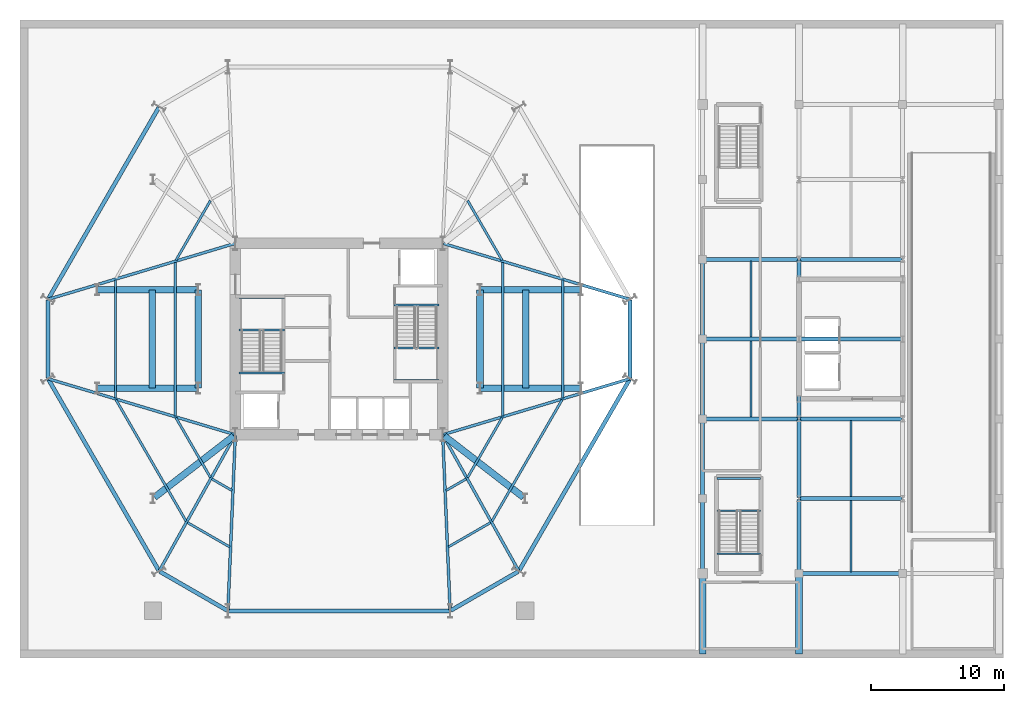
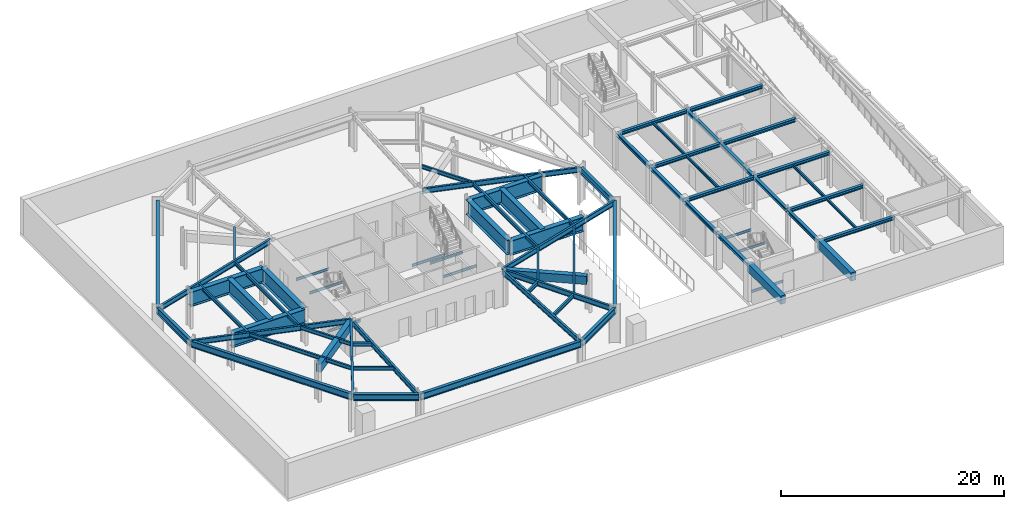
# One storey, part 5 of 12: 71 beams.
"""IFC4 building model written with IfcOpenShell, lengths in metres."""

from ifc_helpers import new_model, si_unit, direction, frame, origin, origin_2d, place, context, subcontext, project, spatial, rectangle, i_section, extrude, material, material_profile, profile_set, type_object, element, save


model = new_model("IFC4")

# Units and contexts
model_context = context("Model", 3, precision=1e-05, world=origin(), true_north=direction((0.0, 1.0)))
body_context = subcontext(model_context, "Body", "Model", "MODEL_VIEW")
ifc_project = project(units=[si_unit("LENGTHUNIT", "METRE"), si_unit("AREAUNIT", "SQUARE_METRE"), si_unit("VOLUMEUNIT", "CUBIC_METRE"), si_unit("PLANEANGLEUNIT", "RADIAN"), si_unit("MASSUNIT", "GRAM", prefix="KILO")], contexts=[model_context])

# Site, building, storey
site_placement = place(None, origin())
site = spatial("IfcSite", under=ifc_project, at=site_placement, CompositionType="ELEMENT")
building_placement = place(site_placement, origin())
building = spatial("IfcBuilding", under=site, at=building_placement, Name="Kranzbogen Civic Tower", CompositionType="ELEMENT")
storey_placement = place(building_placement, frame((0.0, 0.0, -4.199951171875)))
storey = spatial("IfcBuildingStorey", under=building, at=storey_placement, Name="B01", CompositionType="ELEMENT", Elevation=-4.199951171875)

# Beams
ifc_material_1 = material(Name="Concrete C40/50", Category="concrete")
ifc_material_profile_1 = material_profile(ifc_material_1, rectangle(XDim=0.5, YDim=0.89990234375, at=origin_2d()), Name="RC-BM 500x900")
ifc_profile_set_1 = profile_set([ifc_material_profile_1], Name="Concrete C40/50")
beam_type_1 = type_object("IfcBeamType", Name="Basement RC Frame Beam 500x900", PredefinedType="BEAM", material=ifc_profile_set_1)
for number, where, z_axis, x_axis, name in (
    (1, (52.35009765625, 1.300048828125, 3.599853515625), (0.0, 1.0, 0.0), (-1.0, 0.0, 0.0), "B01 South-East plaza support beam 52"),
    (2, (59.60009765625, 1.300048828125, 3.599853515625), (0.0, 1.0, 0.0), (-1.0, 0.0, 0.0), "B01 South-East plaza support beam 59"),
):
    element("IfcBeam", number, at=place(storey_placement, frame(where, z_axis=z_axis, x_axis=x_axis)), inside=storey, type_object=beam_type_1, Name=name, PredefinedType="BEAM", context=body_context, shape_type="SweptSolid", body=[
        extrude(rectangle(XDim=0.5, YDim=0.89990234375, at=origin_2d()), origin(), (0.0, 0.0, 1.0), 6.050048828125),
    ])
for number, where, z_axis, x_axis, name in (
    (3, (11.118896484375, 13.092041015625, 3.429931640625), (0.79071713495, 0.612181682589, 0.0), (-0.612181682589, 0.79071713495, 0.0), "B01 basement RC frame girder 1"),
    (4, (38.881103515625, 13.092041015625, 3.429931640625), (-0.79071713495, 0.612181682589, 0.0), (-0.612181682589, -0.79071713495, 0.0), "B01 basement RC frame girder 2"),
):
    element("IfcBeam", number, at=place(storey_placement, frame(where, z_axis=z_axis, x_axis=x_axis)), inside=storey, type_object=beam_type_1, Name=name, PredefinedType="BEAM", context=body_context, shape_type="SweptSolid", body=[
        extrude(rectangle(XDim=0.5, YDim=0.89990234375, at=origin_2d()), origin(), (0.0, 0.0, 1.0), 7.540283203125),
    ])
ifc_material_2 = material(Name="Steel S355", Category="steel")
ifc_material_profile_2 = material_profile(ifc_material_2, i_section(OverallWidth=0.300048828125, OverallDepth=0.360107421875, WebThickness=0.012451171875, FlangeThickness=0.0224609375, at=origin_2d()), Name="HEB 360")
ifc_profile_set_2 = profile_set([ifc_material_profile_2], Name="Steel S355")
beam_type_2 = type_object("IfcBeamType", Name="Health Centre Primary Floor Beam HEB 360", PredefinedType="BEAM", material=ifc_profile_set_2)
for number, where, z_axis, x_axis, name in (
    (5, (59.659912109375, 7.35009765625, 3.699951171875), (1.0, 0.0, 0.0), (0.0, 1.0, 0.0), "B01 Health Centre X girder 2-1"),
    (6, (59.659912109375, 13.0, 3.699951171875), (1.0, 0.0, 0.0), (0.0, 1.0, 0.0), "B01 Health Centre X girder 2-2"),
):
    element("IfcBeam", number, at=place(storey_placement, frame(where, z_axis=z_axis, x_axis=x_axis)), inside=storey, type_object=beam_type_2, Name=name, PredefinedType="BEAM", context=body_context, shape_type="SweptSolid", body=[
        extrude(i_section(OverallWidth=0.300048828125, OverallDepth=0.360107421875, WebThickness=0.012451171875, FlangeThickness=0.0224609375, at=origin_2d()), origin(), (0.0, 0.0, 1.0), 7.68017578125),
    ])
beam_1_placement = place(storey_placement, frame((52.409912109375, 19.0, 3.699951171875), z_axis=(1.0, 0.0, 0.0), x_axis=(0.0, 1.0, 0.0)))
element("IfcBeam", 7, at=beam_1_placement, inside=storey, type_object=beam_type_2, Name="B01 Health Centre X girder 1-3", PredefinedType="BEAM", context=body_context, shape_type="SweptSolid", body=[
    extrude(i_section(OverallWidth=0.300048828125, OverallDepth=0.360107421875, WebThickness=0.012451171875, FlangeThickness=0.0224609375, at=origin_2d()), origin(), (0.0, 0.0, 1.0), 7.130126953125),
])
beam_2_placement = place(storey_placement, frame((59.659912109375, 19.0, 3.699951171875), z_axis=(1.0, 0.0, 0.0), x_axis=(0.0, 1.0, 0.0)))
element("IfcBeam", 8, at=beam_2_placement, inside=storey, type_object=beam_type_2, Name="B01 Health Centre X girder 2-3", PredefinedType="BEAM", context=body_context, shape_type="SweptSolid", body=[
    extrude(i_section(OverallWidth=0.300048828125, OverallDepth=0.360107421875, WebThickness=0.012451171875, FlangeThickness=0.0224609375, at=origin_2d()), origin(), (0.0, 0.0, 1.0), 7.68017578125),
])
beam_3_placement = place(storey_placement, frame((52.409912109375, 25.0, 3.699951171875), z_axis=(1.0, 0.0, 0.0), x_axis=(0.0, 1.0, 0.0)))
element("IfcBeam", 9, at=beam_3_placement, inside=storey, type_object=beam_type_2, Name="B01 Health Centre X girder 1-4", PredefinedType="BEAM", context=body_context, shape_type="SweptSolid", body=[
    extrude(i_section(OverallWidth=0.300048828125, OverallDepth=0.360107421875, WebThickness=0.012451171875, FlangeThickness=0.0224609375, at=origin_2d()), origin(), (0.0, 0.0, 1.0), 7.130126953125),
])
beam_4_placement = place(storey_placement, frame((59.659912109375, 25.0, 3.699951171875), z_axis=(1.0, 0.0, 0.0), x_axis=(0.0, 1.0, 0.0)))
element("IfcBeam", 10, at=beam_4_placement, inside=storey, type_object=beam_type_2, Name="B01 Health Centre X girder 2-4", PredefinedType="BEAM", context=body_context, shape_type="SweptSolid", body=[
    extrude(i_section(OverallWidth=0.300048828125, OverallDepth=0.360107421875, WebThickness=0.012451171875, FlangeThickness=0.0224609375, at=origin_2d()), origin(), (0.0, 0.0, 1.0), 7.68017578125),
])
beam_5_placement = place(storey_placement, frame((52.409912109375, 31.0, 3.699951171875), z_axis=(1.0, 0.0, 0.0), x_axis=(0.0, 1.0, 0.0)))
element("IfcBeam", 11, at=beam_5_placement, inside=storey, type_object=beam_type_2, Name="B01 Health Centre X girder 1-5", PredefinedType="BEAM", context=body_context, shape_type="SweptSolid", body=[
    extrude(i_section(OverallWidth=0.300048828125, OverallDepth=0.360107421875, WebThickness=0.012451171875, FlangeThickness=0.0224609375, at=origin_2d()), origin(), (0.0, 0.0, 1.0), 7.130126953125),
])
beam_6_placement = place(storey_placement, frame((59.659912109375, 31.0, 3.699951171875), z_axis=(1.0, 0.0, 0.0), x_axis=(0.0, 1.0, 0.0)))
element("IfcBeam", 12, at=beam_6_placement, inside=storey, type_object=beam_type_2, Name="B01 Health Centre X girder 2-5", PredefinedType="BEAM", context=body_context, shape_type="SweptSolid", body=[
    extrude(i_section(OverallWidth=0.300048828125, OverallDepth=0.360107421875, WebThickness=0.012451171875, FlangeThickness=0.0224609375, at=origin_2d()), origin(), (0.0, 0.0, 1.0), 7.68017578125),
])
for number, where, z_axis, x_axis, name in (
    (13, (52.35009765625, 7.409912109375, 3.699951171875), (0.0, 1.0, 0.0), (-1.0, 0.0, 0.0), "B01 Health Centre Y girder 1-1"),
    (14, (59.60009765625, 7.409912109375, 3.699951171875), (0.0, 1.0, 0.0), (-1.0, 0.0, 0.0), "B01 Health Centre Y girder 2-1"),
):
    element("IfcBeam", number, at=place(storey_placement, frame(where, z_axis=z_axis, x_axis=x_axis)), inside=storey, type_object=beam_type_2, Name=name, PredefinedType="BEAM", context=body_context, shape_type="SweptSolid", body=[
        extrude(i_section(OverallWidth=0.300048828125, OverallDepth=0.360107421875, WebThickness=0.012451171875, FlangeThickness=0.0224609375, at=origin_2d()), origin(), (0.0, 0.0, 1.0), 5.530029296875),
    ])
for number, where, z_axis, x_axis, name in (
    (15, (52.35009765625, 13.06005859375, 3.699951171875), (0.0, 1.0, 0.0), (-1.0, 0.0, 0.0), "B01 Health Centre Y girder 1-2"),
    (16, (59.60009765625, 13.06005859375, 3.699951171875), (0.0, 1.0, 0.0), (-1.0, 0.0, 0.0), "B01 Health Centre Y girder 2-2"),
    (17, (52.35009765625, 19.06005859375, 3.699951171875), (0.0, 1.0, 0.0), (-1.0, 0.0, 0.0), "B01 Health Centre Y girder 1-3"),
    (18, (59.60009765625, 19.06005859375, 3.699951171875), (0.0, 1.0, 0.0), (-1.0, 0.0, 0.0), "B01 Health Centre Y girder 2-3"),
    (19, (52.35009765625, 25.06005859375, 3.699951171875), (0.0, 1.0, 0.0), (-1.0, 0.0, 0.0), "B01 Health Centre Y girder 1-4"),
    (20, (59.60009765625, 25.06005859375, 3.699951171875), (0.0, 1.0, 0.0), (-1.0, 0.0, 0.0), "B01 Health Centre Y girder 2-4"),
):
    element("IfcBeam", number, at=place(storey_placement, frame(where, z_axis=z_axis, x_axis=x_axis)), inside=storey, type_object=beam_type_2, Name=name, PredefinedType="BEAM", context=body_context, shape_type="SweptSolid", body=[
        extrude(i_section(OverallWidth=0.300048828125, OverallDepth=0.360107421875, WebThickness=0.012451171875, FlangeThickness=0.0224609375, at=origin_2d()), origin(), (0.0, 0.0, 1.0), 5.8798828125),
    ])
ifc_material_profile_3 = material_profile(ifc_material_2, i_section(OverallWidth=0.14990234375, OverallDepth=0.300048828125, WebThickness=0.007080078125, FlangeThickness=0.0107421875, at=origin_2d()), Name="IPE 300")
ifc_profile_set_3 = profile_set([ifc_material_profile_3], Name="Steel S355")
beam_type_3 = type_object("IfcBeamType", Name="Health Centre Secondary Joist IPE 300", PredefinedType="JOIST", material=ifc_profile_set_3)
beam_7_placement = place(storey_placement, frame((63.5, 7.489990234375, 3.72998046875), z_axis=(0.0, 1.0, 0.0), x_axis=(-1.0, 0.0, 0.0)))
element("IfcBeam", 21, at=beam_7_placement, inside=storey, type_object=beam_type_3, Name="B01 Health Centre secondary joist 2-1", PredefinedType="JOIST", context=body_context, shape_type="SweptSolid", body=[
    extrude(i_section(OverallWidth=0.14990234375, OverallDepth=0.300048828125, WebThickness=0.007080078125, FlangeThickness=0.0107421875, at=origin_2d()), origin(), (0.0, 0.0, 1.0), 5.3701171875),
])
for number, where, z_axis, x_axis, name in (
    (22, (63.5, 13.139892578125, 3.72998046875), (0.0, 1.0, 0.0), (-1.0, 0.0, 0.0), "B01 Health Centre secondary joist 2-2"),
    (23, (55.97509765625, 19.139892578125, 3.72998046875), (0.0, 1.0, 0.0), (-1.0, 0.0, 0.0), "B01 Health Centre secondary joist 1-3"),
    (24, (55.97509765625, 25.139892578125, 3.72998046875), (0.0, 1.0, 0.0), (-1.0, 0.0, 0.0), "B01 Health Centre secondary joist 1-4"),
):
    element("IfcBeam", number, at=place(storey_placement, frame(where, z_axis=z_axis, x_axis=x_axis)), inside=storey, type_object=beam_type_3, Name=name, PredefinedType="JOIST", context=body_context, shape_type="SweptSolid", body=[
        extrude(i_section(OverallWidth=0.14990234375, OverallDepth=0.300048828125, WebThickness=0.007080078125, FlangeThickness=0.0107421875, at=origin_2d()), origin(), (0.0, 0.0, 1.0), 5.72021484375),
    ])
ifc_material_profile_4 = material_profile(ifc_material_2, i_section(OverallWidth=0.300048828125, OverallDepth=0.699951171875, WebThickness=0.01708984375, FlangeThickness=0.031982421875, at=origin_2d()), Name="HEB 700")
ifc_profile_set_4 = profile_set([ifc_material_profile_4], Name="Steel S355")
beam_type_4 = type_object("IfcBeamType", Name="Perimeter Tube Spandrel Beam HEB 700", PredefinedType="SPANDREL", material=ifc_profile_set_4)
beam_8_placement = place(storey_placement, frame((3.139892578125, 21.9619140625, 3.530029296875), z_axis=(0.500010210561, -0.866019508634, 0.0), x_axis=(0.866019508634, 0.500010210561, 0.0)))
element("IfcBeam", 25, at=beam_8_placement, inside=storey, type_object=beam_type_4, Name="B01 perimeter spandrel beam 01", PredefinedType="SPANDREL", context=body_context, shape_type="SweptSolid", body=[
    extrude(i_section(OverallWidth=0.300048828125, OverallDepth=0.699951171875, WebThickness=0.01708984375, FlangeThickness=0.031982421875, at=origin_2d()), origin(), (0.0, 0.0, 1.0), 16.597900390625),
])
beam_9_placement = place(storey_placement, frame((11.52099609375, 7.506103515625, 3.530029296875), z_axis=(0.86602927387, -0.499993296755, 0.0), x_axis=(0.499993296755, 0.86602927387, 0.0)))
element("IfcBeam", 26, at=beam_9_placement, inside=storey, type_object=beam_type_4, Name="B01 perimeter spandrel beam 02", PredefinedType="SPANDREL", context=body_context, shape_type="SweptSolid", body=[
    extrude(i_section(OverallWidth=0.300048828125, OverallDepth=0.699951171875, WebThickness=0.01708984375, FlangeThickness=0.031982421875, at=origin_2d()), origin(), (0.0, 0.0, 1.0), 5.85205078125),
])
beam_10_placement = place(storey_placement, frame((16.700927734375, 4.550048828125, 3.530029296875), z_axis=(1.0, 0.0, 0.0), x_axis=(0.0, 1.0, 0.0)))
element("IfcBeam", 27, at=beam_10_placement, inside=storey, type_object=beam_type_4, Name="B01 perimeter spandrel beam 03", PredefinedType="SPANDREL", context=body_context, shape_type="SweptSolid", body=[
    extrude(i_section(OverallWidth=0.300048828125, OverallDepth=0.699951171875, WebThickness=0.01708984375, FlangeThickness=0.031982421875, at=origin_2d()), origin(), (0.0, 0.0, 1.0), 16.59814453125),
])
beam_11_placement = place(storey_placement, frame((33.410888671875, 4.580078125, 3.530029296875), z_axis=(0.86602927387, 0.499993296755, 0.0), x_axis=(-0.499993296755, 0.86602927387, 0.0)))
element("IfcBeam", 28, at=beam_11_placement, inside=storey, type_object=beam_type_4, Name="B01 perimeter spandrel beam 04", PredefinedType="SPANDREL", context=body_context, shape_type="SweptSolid", body=[
    extrude(i_section(OverallWidth=0.300048828125, OverallDepth=0.699951171875, WebThickness=0.01708984375, FlangeThickness=0.031982421875, at=origin_2d()), origin(), (0.0, 0.0, 1.0), 5.85205078125),
])
beam_12_placement = place(storey_placement, frame((38.56103515625, 7.587890625, 3.530029296875), z_axis=(0.500010210561, 0.866019508634, 0.0), x_axis=(-0.866019508634, 0.500010210561, 0.0)))
element("IfcBeam", 29, at=beam_12_placement, inside=storey, type_object=beam_type_4, Name="B01 perimeter spandrel beam 05", PredefinedType="SPANDREL", context=body_context, shape_type="SweptSolid", body=[
    extrude(i_section(OverallWidth=0.300048828125, OverallDepth=0.699951171875, WebThickness=0.01708984375, FlangeThickness=0.031982421875, at=origin_2d()), origin(), (0.0, 0.0, 1.0), 16.597900390625),
])
beam_13_placement = place(storey_placement, frame((46.889892578125, 22.073974609375, 3.530029296875), z_axis=(0.0, 1.0, 0.0), x_axis=(-1.0, 0.0, 0.0)))
element("IfcBeam", 30, at=beam_13_placement, inside=storey, type_object=beam_type_4, Name="B01 perimeter spandrel beam 06", PredefinedType="SPANDREL", context=body_context, shape_type="SweptSolid", body=[
    extrude(i_section(OverallWidth=0.300048828125, OverallDepth=0.699951171875, WebThickness=0.01708984375, FlangeThickness=0.031982421875, at=origin_2d()), origin(), (0.0, 0.0, 1.0), 5.85205078125),
])
beam_14_placement = place(storey_placement, frame((11.43896484375, 42.412109375, 3.530029296875), z_axis=(-0.500010210561, -0.866019508634, 0.0), x_axis=(0.866019508634, -0.500010210561, 0.0)))
element("IfcBeam", 31, at=beam_14_placement, inside=storey, type_object=beam_type_4, Name="B01 perimeter spandrel beam 11", PredefinedType="SPANDREL", context=body_context, shape_type="SweptSolid", body=[
    extrude(i_section(OverallWidth=0.300048828125, OverallDepth=0.699951171875, WebThickness=0.01708984375, FlangeThickness=0.031982421875, at=origin_2d()), origin(), (0.0, 0.0, 1.0), 16.597900390625),
])
beam_15_placement = place(storey_placement, frame((3.110107421875, 27.926025390625, 3.530029296875), z_axis=(0.0, -1.0, 0.0), x_axis=(1.0, 0.0, 0.0)))
element("IfcBeam", 32, at=beam_15_placement, inside=storey, type_object=beam_type_4, Name="B01 perimeter spandrel beam 12", PredefinedType="SPANDREL", context=body_context, shape_type="SweptSolid", body=[
    extrude(i_section(OverallWidth=0.300048828125, OverallDepth=0.699951171875, WebThickness=0.01708984375, FlangeThickness=0.031982421875, at=origin_2d()), origin(), (0.0, 0.0, 1.0), 5.85205078125),
])
ifc_material_profile_5 = material_profile(ifc_material_2, i_section(OverallWidth=0.2099609375, OverallDepth=0.550048828125, WebThickness=0.010986328125, FlangeThickness=0.01708984375, at=origin_2d()), Name="IPE 550")
ifc_profile_set_5 = profile_set([ifc_material_profile_5], Name="Steel S355")
beam_type_5 = type_object("IfcBeamType", Name="Radial Tower Floor Girder IPE 550", PredefinedType="BEAM", material=ifc_profile_set_5)
beam_16_placement = place(storey_placement, frame((3.1669921875, 21.9970703125, 3.60498046875), z_axis=(0.958064557048, -0.286552446385, 0.0), x_axis=(0.286552446385, 0.958064557048, 0.0)))
element("IfcBeam", 33, at=beam_16_placement, inside=storey, type_object=beam_type_5, Name="B01 radial floor girder 01", PredefinedType="BEAM", context=body_context, shape_type="SweptSolid", body=[
    extrude(i_section(OverallWidth=0.2099609375, OverallDepth=0.550048828125, WebThickness=0.010986328125, FlangeThickness=0.01708984375, at=origin_2d()), origin(), (0.0, 0.0, 1.0), 14.587890625),
])
beam_17_placement = place(storey_placement, frame((11.498046875, 7.587890625, 3.60498046875), z_axis=(0.487501570266, 0.87312211001, 0.0), x_axis=(-0.87312211001, 0.487501570266, 0.0)))
element("IfcBeam", 34, at=beam_17_placement, inside=storey, type_object=beam_type_5, Name="B01 radial floor girder 02", PredefinedType="BEAM", context=body_context, shape_type="SweptSolid", body=[
    extrude(i_section(OverallWidth=0.2099609375, OverallDepth=0.550048828125, WebThickness=0.010986328125, FlangeThickness=0.01708984375, at=origin_2d()), origin(), (0.0, 0.0, 1.0), 11.636474609375),
])
for number, where, z_axis, x_axis, name in (
    (35, (16.64404296875, 4.610107421875, 3.60498046875), (0.04207872602, 0.999114298174, 0.0), (-0.999114298174, 0.04207872602, 0.0), "B01 radial floor girder 03"),
    (36, (33.35595703125, 4.610107421875, 3.60498046875), (-0.04207872602, 0.999114298174, 0.0), (-0.999114298174, -0.04207872602, 0.0), "B01 radial floor girder 04"),
):
    element("IfcBeam", number, at=place(storey_placement, frame(where, z_axis=z_axis, x_axis=x_axis)), inside=storey, type_object=beam_type_5, Name=name, PredefinedType="BEAM", context=body_context, shape_type="SweptSolid", body=[
        extrude(i_section(OverallWidth=0.2099609375, OverallDepth=0.550048828125, WebThickness=0.010986328125, FlangeThickness=0.01708984375, at=origin_2d()), origin(), (0.0, 0.0, 1.0), 13.1416015625),
    ])
beam_18_placement = place(storey_placement, frame((38.501953125, 7.587890625, 3.60498046875), z_axis=(-0.487501570266, 0.87312211001, 0.0), x_axis=(-0.87312211001, -0.487501570266, 0.0)))
element("IfcBeam", 37, at=beam_18_placement, inside=storey, type_object=beam_type_5, Name="B01 radial floor girder 05", PredefinedType="BEAM", context=body_context, shape_type="SweptSolid", body=[
    extrude(i_section(OverallWidth=0.2099609375, OverallDepth=0.550048828125, WebThickness=0.010986328125, FlangeThickness=0.01708984375, at=origin_2d()), origin(), (0.0, 0.0, 1.0), 11.636474609375),
])
for number, where, z_axis, x_axis, name in (
    (38, (46.8330078125, 21.9970703125, 3.60498046875), (-0.958064557048, -0.286552446385, 0.0), (0.286552446385, -0.958064557048, 0.0), "B01 radial floor girder 06"),
    (39, (46.8330078125, 28.0029296875, 3.60498046875), (-0.958064557048, 0.286552446385, 0.0), (-0.286552446385, -0.958064557048, 0.0), "B01 radial floor girder 07"),
    (40, (3.1669921875, 28.0029296875, 3.60498046875), (0.958064557048, 0.286552446385, 0.0), (-0.286552446385, 0.958064557048, 0.0), "B01 radial floor girder 12"),
):
    element("IfcBeam", number, at=place(storey_placement, frame(where, z_axis=z_axis, x_axis=x_axis)), inside=storey, type_object=beam_type_5, Name=name, PredefinedType="BEAM", context=body_context, shape_type="SweptSolid", body=[
        extrude(i_section(OverallWidth=0.2099609375, OverallDepth=0.550048828125, WebThickness=0.010986328125, FlangeThickness=0.01708984375, at=origin_2d()), origin(), (0.0, 0.0, 1.0), 14.587890625),
    ])
ifc_material_profile_6 = material_profile(ifc_material_2, i_section(OverallWidth=0.179931640625, OverallDepth=0.39990234375, WebThickness=0.008544921875, FlangeThickness=0.013427734375, at=origin_2d()), Name="IPE 400")
ifc_profile_set_6 = profile_set([ifc_material_profile_6], Name="Steel S355")
beam_type_6 = type_object("IfcBeamType", Name="Secondary Composite Floor Joist IPE 400", PredefinedType="JOIST", material=ifc_profile_set_6)
beam_19_placement = place(storey_placement, frame((8.221923828125, 20.427978515625, 3.679931640625), z_axis=(0.500000488781, -0.866025121586, 0.0), x_axis=(0.866025121586, 0.500000488781, 0.0)))
element("IfcBeam", 41, at=beam_19_placement, inside=storey, type_object=beam_type_6, Name="B01 secondary floor joist 1.01", PredefinedType="JOIST", context=body_context, shape_type="SweptSolid", body=[
    extrude(i_section(OverallWidth=0.179931640625, OverallDepth=0.39990234375, WebThickness=0.008544921875, FlangeThickness=0.013427734375, at=origin_2d()), origin(), (0.0, 0.0, 1.0), 10.5400390625),
])
beam_20_placement = place(storey_placement, frame((12.73095703125, 19.0791015625, 3.679931640625), z_axis=(0.500040090343, -0.866002256377, 0.0), x_axis=(0.866002256377, 0.500040090343, 0.0)))
element("IfcBeam", 42, at=beam_20_placement, inside=storey, type_object=beam_type_6, Name="B01 secondary floor joist 2.01", PredefinedType="JOIST", context=body_context, shape_type="SweptSolid", body=[
    extrude(i_section(OverallWidth=0.179931640625, OverallDepth=0.39990234375, WebThickness=0.008544921875, FlangeThickness=0.013427734375, at=origin_2d()), origin(), (0.0, 0.0, 1.0), 5.189453125),
])
beam_21_placement = place(storey_placement, frame((13.60107421875, 11.19091796875, 3.679931640625), z_axis=(0.866081244924, -0.499903267833, 0.0), x_axis=(0.499903267833, 0.866081244924, 0.0)))
element("IfcBeam", 43, at=beam_21_placement, inside=storey, type_object=beam_type_6, Name="B01 secondary floor joist 1.02", PredefinedType="JOIST", context=body_context, shape_type="SweptSolid", body=[
    extrude(i_section(OverallWidth=0.179931640625, OverallDepth=0.39990234375, WebThickness=0.008544921875, FlangeThickness=0.013427734375, at=origin_2d()), origin(), (0.0, 0.0, 1.0), 3.662353515625),
])
beam_22_placement = place(storey_placement, frame((15.43505859375, 14.47607421875, 3.679931640625), z_axis=(0.86596970562, -0.500096459644, 0.0), x_axis=(0.500096459644, 0.86596970562, 0.0)))
element("IfcBeam", 44, at=beam_22_placement, inside=storey, type_object=beam_type_6, Name="B01 secondary floor joist 2.02", PredefinedType="JOIST", context=body_context, shape_type="SweptSolid", body=[
    extrude(i_section(OverallWidth=0.179931640625, OverallDepth=0.39990234375, WebThickness=0.008544921875, FlangeThickness=0.013427734375, at=origin_2d()), origin(), (0.0, 0.0, 1.0), 1.751708984375),
])
beam_23_placement = place(storey_placement, frame((33.22705078125, 9.360107421875, 3.679931640625), z_axis=(0.866081244924, 0.499903267833, 0.0), x_axis=(-0.499903267833, 0.866081244924, 0.0)))
element("IfcBeam", 45, at=beam_23_placement, inside=storey, type_object=beam_type_6, Name="B01 secondary floor joist 1.04", PredefinedType="JOIST", context=body_context, shape_type="SweptSolid", body=[
    extrude(i_section(OverallWidth=0.179931640625, OverallDepth=0.39990234375, WebThickness=0.008544921875, FlangeThickness=0.013427734375, at=origin_2d()), origin(), (0.0, 0.0, 1.0), 3.662353515625),
])
beam_24_placement = place(storey_placement, frame((33.048095703125, 13.60009765625, 3.679931640625), z_axis=(0.86596970562, 0.500096459644, 0.0), x_axis=(-0.500096459644, 0.86596970562, 0.0)))
element("IfcBeam", 46, at=beam_24_placement, inside=storey, type_object=beam_type_6, Name="B01 secondary floor joist 2.04", PredefinedType="JOIST", context=body_context, shape_type="SweptSolid", body=[
    extrude(i_section(OverallWidth=0.179931640625, OverallDepth=0.39990234375, WebThickness=0.008544921875, FlangeThickness=0.013427734375, at=origin_2d()), origin(), (0.0, 0.0, 1.0), 1.751708984375),
])
beam_25_placement = place(storey_placement, frame((36.508056640625, 11.300048828125, 3.679931640625), z_axis=(0.500000488781, 0.866025121586, 0.0), x_axis=(-0.866025121586, 0.500000488781, 0.0)))
element("IfcBeam", 47, at=beam_25_placement, inside=storey, type_object=beam_type_6, Name="B01 secondary floor joist 1.05", PredefinedType="JOIST", context=body_context, shape_type="SweptSolid", body=[
    extrude(i_section(OverallWidth=0.179931640625, OverallDepth=0.39990234375, WebThickness=0.008544921875, FlangeThickness=0.013427734375, at=origin_2d()), origin(), (0.0, 0.0, 1.0), 10.5400390625),
])
beam_26_placement = place(storey_placement, frame((34.674072265625, 14.5849609375, 3.679931640625), z_axis=(0.500040090343, 0.866002256377, 0.0), x_axis=(-0.866002256377, 0.500040090343, 0.0)))
element("IfcBeam", 48, at=beam_26_placement, inside=storey, type_object=beam_type_6, Name="B01 secondary floor joist 2.05", PredefinedType="JOIST", context=body_context, shape_type="SweptSolid", body=[
    extrude(i_section(OverallWidth=0.179931640625, OverallDepth=0.39990234375, WebThickness=0.008544921875, FlangeThickness=0.013427734375, at=origin_2d()), origin(), (0.0, 0.0, 1.0), 5.189453125),
])
beam_27_placement = place(storey_placement, frame((41.818115234375, 20.576904296875, 3.679931640625), z_axis=(0.0, 1.0, 0.0), x_axis=(-1.0, 0.0, 0.0)))
element("IfcBeam", 49, at=beam_27_placement, inside=storey, type_object=beam_type_6, Name="B01 secondary floor joist 1.06", PredefinedType="JOIST", context=body_context, shape_type="SweptSolid", body=[
    extrude(i_section(OverallWidth=0.179931640625, OverallDepth=0.39990234375, WebThickness=0.008544921875, FlangeThickness=0.013427734375, at=origin_2d()), origin(), (0.0, 0.0, 1.0), 8.84619140625),
])
beam_28_placement = place(storey_placement, frame((37.30908203125, 19.22802734375, 3.679931640625), z_axis=(0.0, 1.0, 0.0), x_axis=(-1.0, 0.0, 0.0)))
element("IfcBeam", 50, at=beam_28_placement, inside=storey, type_object=beam_type_6, Name="B01 secondary floor joist 2.06", PredefinedType="JOIST", context=body_context, shape_type="SweptSolid", body=[
    extrude(i_section(OverallWidth=0.179931640625, OverallDepth=0.39990234375, WebThickness=0.008544921875, FlangeThickness=0.013427734375, at=origin_2d()), origin(), (0.0, 0.0, 1.0), 11.5439453125),
])
for number, where, z_axis, x_axis, name in (
    (51, (37.26904296875, 30.9208984375, 3.679931640625), (-0.500040090343, 0.866002256377, 0.0), (-0.866002256377, -0.500040090343, 0.0), "B01 secondary floor joist 2.07"),
    (52, (15.325927734375, 35.4150390625, 3.679931640625), (-0.500040090343, -0.866002256377, 0.0), (0.866002256377, -0.500040090343, 0.0), "B01 secondary floor joist 2.11"),
):
    element("IfcBeam", number, at=place(storey_placement, frame(where, z_axis=z_axis, x_axis=x_axis)), inside=storey, type_object=beam_type_6, Name=name, PredefinedType="JOIST", context=body_context, shape_type="SweptSolid", body=[
        extrude(i_section(OverallWidth=0.179931640625, OverallDepth=0.39990234375, WebThickness=0.008544921875, FlangeThickness=0.013427734375, at=origin_2d()), origin(), (0.0, 0.0, 1.0), 5.189453125),
    ])
beam_29_placement = place(storey_placement, frame((8.181884765625, 29.423095703125, 3.679931640625), z_axis=(0.0, -1.0, 0.0), x_axis=(1.0, 0.0, 0.0)))
element("IfcBeam", 53, at=beam_29_placement, inside=storey, type_object=beam_type_6, Name="B01 secondary floor joist 1.12", PredefinedType="JOIST", context=body_context, shape_type="SweptSolid", body=[
    extrude(i_section(OverallWidth=0.179931640625, OverallDepth=0.39990234375, WebThickness=0.008544921875, FlangeThickness=0.013427734375, at=origin_2d()), origin(), (0.0, 0.0, 1.0), 8.84619140625),
])
beam_30_placement = place(storey_placement, frame((12.69091796875, 30.77197265625, 3.679931640625), z_axis=(0.0, -1.0, 0.0), x_axis=(1.0, 0.0, 0.0)))
element("IfcBeam", 54, at=beam_30_placement, inside=storey, type_object=beam_type_6, Name="B01 secondary floor joist 2.12", PredefinedType="JOIST", context=body_context, shape_type="SweptSolid", body=[
    extrude(i_section(OverallWidth=0.179931640625, OverallDepth=0.39990234375, WebThickness=0.008544921875, FlangeThickness=0.013427734375, at=origin_2d()), origin(), (0.0, 0.0, 1.0), 11.5439453125),
])
ifc_material_profile_7 = material_profile(ifc_material_2, i_section(OverallWidth=0.135009765625, OverallDepth=0.27001953125, WebThickness=0.006591796875, FlangeThickness=0.01025390625, at=origin_2d()), Name="IPE 270")
ifc_profile_set_7 = profile_set([ifc_material_profile_7], Name="Steel S355")
beam_type_7 = type_object("IfcBeamType", Name="Stair Landing Support Beam IPE 270", PredefinedType="JOIST", material=ifc_profile_set_7)
for number, where, z_axis, x_axis, name in (
    (55, (20.8798828125, 22.43994140625, -0.455078125), (-1.0, 0.0, 0.0), (0.0, -1.0, 0.0), "B01 ST-T1 stair floor header beam"),
    (56, (20.8798828125, 25.679931640625, 1.764892578125), (-1.0, 0.0, 0.0), (0.0, -1.0, 0.0), "B01 ST-T1 landing support beam 1.1"),
    (57, (20.8798828125, 28.10009765625, 1.764892578125), (-1.0, 0.0, 0.0), (0.0, -1.0, 0.0), "B01 ST-T1 landing support beam 1.2"),
    (58, (29.1201171875, 27.56005859375, -0.455078125), (1.0, 0.0, 0.0), (0.0, 1.0, 0.0), "B01 ST-T2 stair floor header beam"),
    (59, (29.1201171875, 24.320068359375, 1.764892578125), (1.0, 0.0, 0.0), (0.0, 1.0, 0.0), "B01 ST-T2 landing support beam 1.1"),
    (60, (29.1201171875, 21.89990234375, 1.764892578125), (1.0, 0.0, 0.0), (0.0, 1.0, 0.0), "B01 ST-T2 landing support beam 1.2"),
):
    element("IfcBeam", number, at=place(storey_placement, frame(where, z_axis=z_axis, x_axis=x_axis)), inside=storey, type_object=beam_type_7, Name=name, PredefinedType="JOIST", context=body_context, shape_type="SweptSolid", body=[
        extrude(i_section(OverallWidth=0.135009765625, OverallDepth=0.27001953125, WebThickness=0.006591796875, FlangeThickness=0.01025390625, at=origin_2d()), origin(), (0.0, 0.0, 1.0), 3.409912109375),
    ])
for number, where, z_axis, x_axis, name in (
    (61, (56.699951171875, 8.840087890625, -0.455078125), (-1.0, 0.0, 0.0), (0.0, -1.0, 0.0), "B01 ST-H1 stair floor header beam"),
    (62, (56.699951171875, 12.080078125, 1.764892578125), (-1.0, 0.0, 0.0), (0.0, -1.0, 0.0), "B01 ST-H1 landing support beam 1.1"),
    (63, (56.699951171875, 14.5, 1.764892578125), (-1.0, 0.0, 0.0), (0.0, -1.0, 0.0), "B01 ST-H1 landing support beam 1.2"),
):
    element("IfcBeam", number, at=place(storey_placement, frame(where, z_axis=z_axis, x_axis=x_axis)), inside=storey, type_object=beam_type_7, Name=name, PredefinedType="JOIST", context=body_context, shape_type="SweptSolid", body=[
        extrude(i_section(OverallWidth=0.135009765625, OverallDepth=0.27001953125, WebThickness=0.006591796875, FlangeThickness=0.01025390625, at=origin_2d()), origin(), (0.0, 0.0, 1.0), 3.25),
    ])
ifc_material_3 = material(Name="Steel S460", Category="steel")
ifc_material_profile_8 = material_profile(ifc_material_3, i_section(OverallWidth=0.5, OverallDepth=1.60009765625, WebThickness=0.02587890625, FlangeThickness=0.0400390625, at=origin_2d()), Name="WPG 1600x500x26x40")
ifc_profile_set_8 = profile_set([ifc_material_profile_8], Name="Steel S460")
beam_type_8 = type_object("IfcBeamType", Name="Welded Transfer Girder WPG 1600x500x26x40", PredefinedType="BEAM", material=ifc_profile_set_8)
for number, where, z_axis, x_axis, name in (
    (64, (6.800048828125, 21.300048828125, 3.079833984375), (1.0, 0.0, 0.0), (0.0, 1.0, 0.0), "TG-1600: B01 STP1 stair transfer girder 1"),
    (65, (6.800048828125, 28.699951171875, 3.079833984375), (1.0, 0.0, 0.0), (0.0, 1.0, 0.0), "TG-1600: B01 STP1 stair transfer girder 2"),
):
    element("IfcBeam", number, at=place(storey_placement, frame(where, z_axis=z_axis, x_axis=x_axis)), inside=storey, type_object=beam_type_8, Name=name, PredefinedType="BEAM", context=body_context, shape_type="SweptSolid", body=[
        extrude(i_section(OverallWidth=0.5, OverallDepth=1.60009765625, WebThickness=0.02587890625, FlangeThickness=0.0400390625, at=origin_2d()), origin(), (0.0, 0.0, 1.0), 7.599853515625),
    ])
for number, where, z_axis, x_axis, name in (
    (66, (10.949951171875, 21.300048828125, 3.079833984375), (0.0, 1.0, 0.0), (-1.0, 0.0, 0.0), "TG-1600: B01 STP1 West wall transfer girder"),
    (67, (14.39990234375, 21.300048828125, 3.079833984375), (0.0, 1.0, 0.0), (-1.0, 0.0, 0.0), "TG-1600: B01 STP1 East wall transfer girder"),
):
    element("IfcBeam", number, at=place(storey_placement, frame(where, z_axis=z_axis, x_axis=x_axis)), inside=storey, type_object=beam_type_8, Name=name, PredefinedType="BEAM", context=body_context, shape_type="SweptSolid", body=[
        extrude(i_section(OverallWidth=0.5, OverallDepth=1.60009765625, WebThickness=0.02587890625, FlangeThickness=0.0400390625, at=origin_2d()), origin(), (0.0, 0.0, 1.0), 7.39990234375),
    ])
for number, where, z_axis, x_axis, name in (
    (68, (35.60009765625, 21.300048828125, 3.079833984375), (1.0, 0.0, 0.0), (0.0, 1.0, 0.0), "TG-1600: B01 STP2 stair transfer girder 1"),
    (69, (35.60009765625, 28.699951171875, 3.079833984375), (1.0, 0.0, 0.0), (0.0, 1.0, 0.0), "TG-1600: B01 STP2 stair transfer girder 2"),
):
    element("IfcBeam", number, at=place(storey_placement, frame(where, z_axis=z_axis, x_axis=x_axis)), inside=storey, type_object=beam_type_8, Name=name, PredefinedType="BEAM", context=body_context, shape_type="SweptSolid", body=[
        extrude(i_section(OverallWidth=0.5, OverallDepth=1.60009765625, WebThickness=0.02587890625, FlangeThickness=0.0400390625, at=origin_2d()), origin(), (0.0, 0.0, 1.0), 7.599853515625),
    ])
for number, where, z_axis, x_axis, name in (
    (70, (35.60009765625, 21.300048828125, 3.079833984375), (0.0, 1.0, 0.0), (-1.0, 0.0, 0.0), "TG-1600: B01 STP2 West wall transfer girder"),
    (71, (39.050048828125, 21.300048828125, 3.079833984375), (0.0, 1.0, 0.0), (-1.0, 0.0, 0.0), "TG-1600: B01 STP2 East wall transfer girder"),
):
    element("IfcBeam", number, at=place(storey_placement, frame(where, z_axis=z_axis, x_axis=x_axis)), inside=storey, type_object=beam_type_8, Name=name, PredefinedType="BEAM", context=body_context, shape_type="SweptSolid", body=[
        extrude(i_section(OverallWidth=0.5, OverallDepth=1.60009765625, WebThickness=0.02587890625, FlangeThickness=0.0400390625, at=origin_2d()), origin(), (0.0, 0.0, 1.0), 7.39990234375),
    ])

save(model, "model.ifc")
